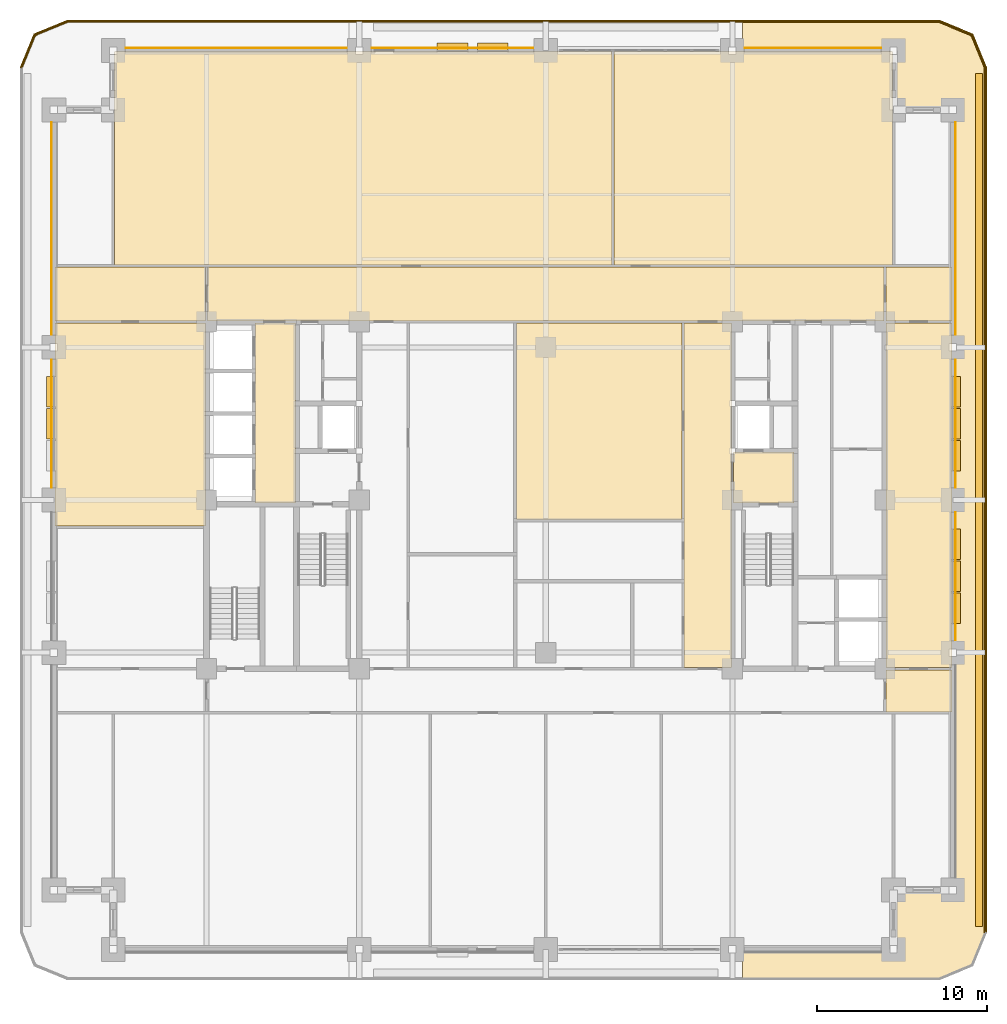
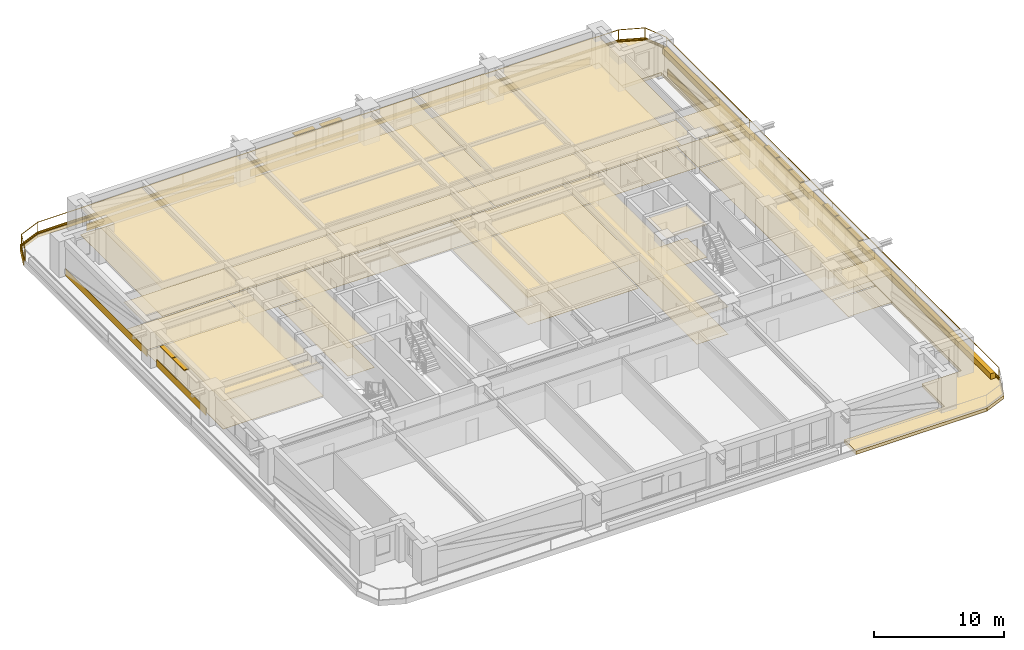
# One storey, part 20 of 20: 40 coverings, 10 shading devices, 2 railings.
"""IFC4 building model written with IfcOpenShell, lengths in metres."""

from ifc_helpers import new_model, si_unit, direction, frame, frame_2d, origin, origin_2d, place, context, subcontext, project, spatial, polyline, rectangle, outline, extrude, material, layer, layer_set, type_object, element, save


model = new_model("IFC4")

# Units and contexts
model_context = context("Model", 3, precision=1e-05, world=origin(), true_north=direction((0.0, 1.0)))
body_context = subcontext(model_context, "Body", "Model", "MODEL_VIEW")
ifc_project = project(units=[si_unit("LENGTHUNIT", "METRE"), si_unit("AREAUNIT", "SQUARE_METRE"), si_unit("VOLUMEUNIT", "CUBIC_METRE"), si_unit("PLANEANGLEUNIT", "RADIAN"), si_unit("MASSUNIT", "GRAM", prefix="KILO")], contexts=[model_context])

# Site, building, storey
site_placement = place(None, origin())
site = spatial("IfcSite", under=ifc_project, at=site_placement, CompositionType="ELEMENT")
building_placement = place(site_placement, origin())
building = spatial("IfcBuilding", under=site, at=building_placement, Name="Zulmaris Gate Convention Tower", CompositionType="ELEMENT")
storey_placement = place(building_placement, frame((0.0, 0.0, 71.469970703125)))
storey = spatial("IfcBuildingStorey", under=building, at=storey_placement, Name="L17", CompositionType="ELEMENT", Elevation=71.469970703125)

# Coverings
ifc_material_1 = material(Name="Precast concrete C40/50", Category="concrete")
ifc_layer_1 = layer(ifc_material_1, 0.0400390625, Name="Precast concrete C40/50")
ifc_layer_set_1 = layer_set([ifc_layer_1], Name="Precast concrete C40/50")
covering_type_1 = type_object("IfcCoveringType", Name="CLAD-SPANDREL-PRECAST", PredefinedType="CLADDING", material=ifc_layer_set_1)
covering_1_placement = place(storey_placement, frame((-11.72998046875, 26.64990234375, 0.0), z_axis=(0.0, 0.0, 1.0), x_axis=(-1.0, 0.0, 0.0)))
element("IfcCovering", 1, at=covering_1_placement, inside=storey, type_object=covering_type_1, Name="CLD-L17-N-0_0", PredefinedType="CLADDING", context=body_context, shape_type="SweptSolid", body=[
    extrude(rectangle(XDim=13.0400390625, YDim=0.0400390625, at=frame_2d((6.52001953125, 0.0))), origin(), (0.0, 0.0, 1.0), 0.679931640625),
])
covering_2_placement = place(storey_placement, frame((-0.72998046875, 26.64990234375, 0.0), z_axis=(0.0, 0.0, 1.0), x_axis=(-1.0, 0.0, 0.0)))
element("IfcCovering", 2, at=covering_2_placement, inside=storey, type_object=covering_type_1, Name="CLD-L17-N-1_0", PredefinedType="CLADDING", context=body_context, shape_type="SweptSolid", body=[
    extrude(rectangle(XDim=9.5400390625, YDim=0.0400390625, at=frame_2d((4.77001953125, 0.0))), origin(), (0.0, 0.0, 1.0), 0.679931640625),
])
covering_3_placement = place(storey_placement, frame((19.77001953125, 26.64990234375, 0.0), z_axis=(0.0, 0.0, 1.0), x_axis=(-1.0, 0.0, 0.0)))
element("IfcCovering", 3, at=covering_3_placement, inside=storey, type_object=covering_type_1, Name="CLD-L17-N-3_0", PredefinedType="CLADDING", context=body_context, shape_type="SweptSolid", body=[
    extrude(rectangle(XDim=8.0400390625, YDim=0.0400390625, at=frame_2d((4.02001953125, 0.0))), origin(), (0.0, 0.0, 1.0), 0.679931640625),
])
for number, where, z_axis, x_axis, name in (
    (4, (24.14990234375, -8.27001953125, 0.0), (0.0, 0.0, 1.0), (0.0, 1.0, 0.0), "CLD-L17-E-1_0"),
    (5, (24.14990234375, 0.72998046875, 0.0), (0.0, 0.0, 1.0), (0.0, 1.0, 0.0), "CLD-L17-E-2_0"),
):
    element("IfcCovering", number, at=place(storey_placement, frame(where, z_axis=z_axis, x_axis=x_axis)), inside=storey, type_object=covering_type_1, Name=name, PredefinedType="CLADDING", context=body_context, shape_type="SweptSolid", body=[
        extrude(rectangle(XDim=7.5400390625, YDim=0.0400390625, at=frame_2d((3.77001953125, 0.0))), origin(), (0.0, 0.0, 1.0), 0.679931640625),
    ])
covering_4_placement = place(storey_placement, frame((24.14990234375, 9.72998046875, 0.0), z_axis=(0.0, 0.0, 1.0), x_axis=(0.0, 1.0, 0.0)))
element("IfcCovering", 6, at=covering_4_placement, inside=storey, type_object=covering_type_1, Name="CLD-L17-E-3_0", PredefinedType="CLADDING", context=body_context, shape_type="SweptSolid", body=[
    extrude(rectangle(XDim=12.5400390625, YDim=0.0400390625, at=frame_2d((6.27001953125, 0.0))), origin(), (0.0, 0.0, 1.0), 0.679931640625),
])
covering_5_placement = place(storey_placement, frame((-29.14990234375, 8.27001953125, 0.0), z_axis=(0.0, 0.0, 1.0), x_axis=(0.0, -1.0, 0.0)))
element("IfcCovering", 7, at=covering_5_placement, inside=storey, type_object=covering_type_1, Name="CLD-L17-W-2_0", PredefinedType="CLADDING", context=body_context, shape_type="SweptSolid", body=[
    extrude(rectangle(XDim=7.5400390625, YDim=0.0400390625, at=frame_2d((3.77001953125, 0.0))), origin(), (0.0, 0.0, 1.0), 0.679931640625),
])
covering_6_placement = place(storey_placement, frame((-29.14990234375, 22.27001953125, 0.0), z_axis=(0.0, 0.0, 1.0), x_axis=(0.0, -1.0, 0.0)))
element("IfcCovering", 8, at=covering_6_placement, inside=storey, type_object=covering_type_1, Name="CLD-L17-W-3_0", PredefinedType="CLADDING", context=body_context, shape_type="SweptSolid", body=[
    extrude(rectangle(XDim=12.5400390625, YDim=0.0400390625, at=frame_2d((6.27001953125, 0.0))), origin(), (0.0, 0.0, 1.0), 0.679931640625),
])
ifc_material_2 = material(Name="White Glazed Architectural Precast Concrete C40/50", Category="concrete")
ifc_layer_2 = layer(ifc_material_2, 0.239990234375, Name="White Glazed Architectural Precast Concrete C40/50")
ifc_layer_set_2 = layer_set([ifc_layer_2], Name="White Glazed Architectural Precast Concrete C40/50")
covering_type_2 = type_object("IfcCoveringType", Name="CLAD-TRAY-DECK", PredefinedType="CLADDING", material=ifc_layer_set_2)
covering_7_placement = place(storey_placement, frame((0.0, 0.0, -0.324951171875)))
element("IfcCovering", 9, at=covering_7_placement, inside=storey, type_object=covering_type_2, Name="L17 East Rounded-Fascia Planter Tray Deck", PredefinedType="CLADDING", context=body_context, shape_type="SweptSolid", body=[
    extrude(outline(polyline([(23.199951171875, 28.300048828125), (25.179931640625, 27.47998046875), (26.0, 25.5), (26.0, -25.5), (25.179931640625, -27.47998046875), (23.199951171875, -28.300048828125), (11.60205078125, -28.300048828125), (11.60205078125, -26.5), (20.5, -26.5), (20.5, -23.0), (24.0, -23.0), (24.0, 23.0), (20.5, 23.0), (20.5, 26.5), (11.60205078125, 26.5), (11.60205078125, 28.300048828125), (23.199951171875, 28.300048828125)])), origin(), (0.0, 0.0, 1.0), 0.300048828125),
])
ifc_layer_3 = layer(ifc_material_2, 0.080078125, Name="White Glazed Architectural Precast Concrete C40/50")
ifc_layer_set_3 = layer_set([ifc_layer_3], Name="White Glazed Architectural Precast Concrete C40/50")
covering_type_3 = type_object("IfcCoveringType", Name="CLAD-TRAY-FASCIA", PredefinedType="CLADDING", material=ifc_layer_set_3)
covering_8_placement = place(storey_placement, frame((25.9599609375, -25.5, -0.364990234375), z_axis=(0.0, 0.0, 1.0), x_axis=(0.0, 1.0, 0.0)))
element("IfcCovering", 10, at=covering_8_placement, inside=storey, type_object=covering_type_3, Name="FSC-L17-TR-05", PredefinedType="CLADDING", context=body_context, shape_type="SweptSolid", body=[
    extrude(rectangle(XDim=51.0, YDim=0.080078125, at=frame_2d((25.5, 0.0))), origin(), (0.0, 0.0, 1.0), 0.5),
])
covering_9_placement = place(storey_placement, frame((25.962890625, 25.484619140625, -0.364990234375), z_axis=(0.0, 0.0, 1.0), x_axis=(-0.382656984709, 0.923890487046, 0.0)))
element("IfcCovering", 11, at=covering_9_placement, inside=storey, type_object=covering_type_3, Name="FSC-L17-TR-06", PredefinedType="CLADDING", context=body_context, shape_type="SweptSolid", body=[
    extrude(rectangle(XDim=2.14306640625, YDim=0.080078125, at=frame_2d((1.071533203125, 0.0))), origin(), (0.0, 0.0, 1.0), 0.5),
])
covering_10_placement = place(storey_placement, frame((25.16455078125, 27.44287109375, -0.364990234375), z_axis=(0.0, 0.0, 1.0), x_axis=(-0.923873803533, 0.382697263049, 0.0)))
element("IfcCovering", 12, at=covering_10_placement, inside=storey, type_object=covering_type_3, Name="FSC-L17-TR-07", PredefinedType="CLADDING", context=body_context, shape_type="SweptSolid", body=[
    extrude(rectangle(XDim=2.142822265625, YDim=0.080078125, at=frame_2d((1.0712890625, 0.0))), origin(), (0.0, 0.0, 1.0), 0.5),
])
covering_11_placement = place(storey_placement, frame((23.199951171875, 28.260009765625, -0.364990234375), z_axis=(0.0, 0.0, 1.0), x_axis=(-1.0, 0.0, 0.0)))
element("IfcCovering", 13, at=covering_11_placement, inside=storey, type_object=covering_type_3, Name="FSC-L17-TR-08", PredefinedType="CLADDING", context=body_context, shape_type="SweptSolid", body=[
    extrude(rectangle(XDim=51.39990234375, YDim=0.080078125, at=frame_2d((25.699951171875, 0.0))), origin(), (0.0, 0.0, 1.0), 0.5),
])
covering_12_placement = place(storey_placement, frame((-28.184814453125, 28.262939453125, -0.364990234375), z_axis=(0.0, 0.0, 1.0), x_axis=(-0.923873803533, -0.382697263049, 0.0)))
element("IfcCovering", 14, at=covering_12_placement, inside=storey, type_object=covering_type_3, Name="FSC-L17-TR-09", PredefinedType="CLADDING", context=body_context, shape_type="SweptSolid", body=[
    extrude(rectangle(XDim=2.142822265625, YDim=0.080078125, at=frame_2d((1.0712890625, 0.0))), origin(), (0.0, 0.0, 1.0), 0.5),
])
covering_13_placement = place(storey_placement, frame((-30.142822265625, 27.464599609375, -0.364990234375), z_axis=(0.0, 0.0, 1.0), x_axis=(-0.382656984709, -0.923890487046, 0.0)))
element("IfcCovering", 15, at=covering_13_placement, inside=storey, type_object=covering_type_3, Name="FSC-L17-TR-10", PredefinedType="CLADDING", context=body_context, shape_type="SweptSolid", body=[
    extrude(rectangle(XDim=2.14306640625, YDim=0.080078125, at=frame_2d((1.071533203125, 0.0))), origin(), (0.0, 0.0, 1.0), 0.5),
])
ifc_material_3 = material(Name="Mineral Fibre Acoustic Ceiling Tile")
ifc_layer_4 = layer(ifc_material_3, 0.02001953125, Name="Mineral Fibre Acoustic Ceiling Tile")
ifc_layer_set_4 = layer_set([ifc_layer_4], Name="Mineral Fibre Acoustic Ceiling Tile")
covering_type_4 = type_object("IfcCoveringType", Name="CLG-ACOUSTIC-600", PredefinedType="CEILING", material=ifc_layer_set_4)
covering_14_placement = place(storey_placement, frame((0.0, 0.0, 3.0400390625)))
element("IfcCovering", 16, at=covering_14_placement, inside=storey, type_object=covering_type_4, Name="CLG-L17-R08", PredefinedType="CEILING", context=body_context, shape_type="SweptSolid", body=[
    extrude(outline(polyline([(11.06005859375, -0.18994140625), (14.639892578125, -0.18994140625), (14.639892578125, 2.840087890625), (11.06005859375, 2.840087890625), (11.06005859375, -0.18994140625)])), origin(), (0.0, 0.0, 1.0), 0.02001953125),
])
covering_15_placement = place(storey_placement, frame((0.0, 0.0, 2.6279296875)))
element("IfcCovering", 17, at=covering_15_placement, inside=storey, type_object=covering_type_4, Name="CLG-L17-R19", PredefinedType="CEILING", context=body_context, shape_type="SweptSolid", body=[
    extrude(outline(polyline([(-17.139892578125, -0.18994140625), (-14.760009765625, -0.18994140625), (-14.760009765625, 10.43994140625), (-17.139892578125, 10.43994140625), (-17.139892578125, -0.18994140625)])), origin(), (0.0, 0.0, 1.0), 0.02001953125),
])
covering_16_placement = place(storey_placement, frame((0.0, 0.0, 2.552978515625)))
element("IfcCovering", 18, at=covering_16_placement, inside=storey, type_object=covering_type_4, Name="CLG-L17-R33", PredefinedType="CEILING", context=body_context, shape_type="SweptSolid", body=[
    extrude(outline(polyline([(-19.93994140625, 10.56005859375), (19.93994140625, 10.56005859375), (19.93994140625, 13.739990234375), (-19.93994140625, 13.739990234375), (-19.93994140625, 10.56005859375)])), origin(), (0.0, 0.0, 1.0), 0.02001953125),
])
covering_17_placement = place(storey_placement, frame((0.0, 0.0, 2.552978515625)))
element("IfcCovering", 19, at=covering_17_placement, inside=storey, type_object=covering_type_4, Name="CLG-L17-R36", PredefinedType="CEILING", context=body_context, shape_type="SweptSolid", body=[
    extrude(outline(polyline([(8.159912109375, -9.889892578125), (10.93994140625, -9.889892578125), (10.93994140625, 10.43994140625), (8.159912109375, 10.43994140625), (8.159912109375, -9.889892578125)])), origin(), (0.0, 0.0, 1.0), 0.02001953125),
])
covering_18_placement = place(storey_placement, frame((0.0, 0.0, 2.552978515625)))
element("IfcCovering", 20, at=covering_18_placement, inside=storey, type_object=covering_type_4, Name="CLG-L17-R37", PredefinedType="CEILING", context=body_context, shape_type="SweptSolid", body=[
    extrude(outline(polyline([(-25.43994140625, 13.860107421875), (3.889892578125, 13.860107421875), (3.889892578125, 26.43994140625), (-25.43994140625, 26.43994140625), (-25.43994140625, 13.860107421875)])), origin(), (0.0, 0.0, 1.0), 0.02001953125),
])
covering_19_placement = place(storey_placement, frame((0.0, 0.0, 2.552978515625)))
element("IfcCovering", 21, at=covering_19_placement, inside=storey, type_object=covering_type_4, Name="CLG-L17-R38", PredefinedType="CEILING", context=body_context, shape_type="SweptSolid", body=[
    extrude(outline(polyline([(4.010009765625, 13.860107421875), (20.43994140625, 13.860107421875), (20.43994140625, 26.43994140625), (4.010009765625, 26.43994140625), (4.010009765625, 13.860107421875)])), origin(), (0.0, 0.0, 1.0), 0.02001953125),
])
covering_20_placement = place(storey_placement, frame((0.0, 0.0, 2.552978515625)))
element("IfcCovering", 22, at=covering_20_placement, inside=storey, type_object=covering_type_4, Name="CLG-L17-R45", PredefinedType="CEILING", context=body_context, shape_type="SweptSolid", body=[
    extrude(outline(polyline([(-1.739990234375, -1.139892578125), (8.0400390625, -1.139892578125), (8.0400390625, 10.43994140625), (-1.739990234375, 10.43994140625), (-1.739990234375, -1.139892578125)])), origin(), (0.0, 0.0, 1.0), 0.02001953125),
])
covering_21_placement = place(storey_placement, frame((0.0, 0.0, 2.6279296875)))
element("IfcCovering", 23, at=covering_21_placement, inside=storey, type_object=covering_type_4, Name="CLG-L17-R49", PredefinedType="CEILING", context=body_context, shape_type="SweptSolid", body=[
    extrude(outline(polyline([(-28.93994140625, 10.56005859375), (-20.06005859375, 10.56005859375), (-20.06005859375, 13.739990234375), (-28.93994140625, 13.739990234375), (-28.93994140625, 10.56005859375)])), origin(), (0.0, 0.0, 1.0), 0.02001953125),
])
covering_22_placement = place(storey_placement, frame((0.0, 0.0, 2.6279296875)))
element("IfcCovering", 24, at=covering_22_placement, inside=storey, type_object=covering_type_4, Name="CLG-L17-R51", PredefinedType="CEILING", context=body_context, shape_type="SweptSolid", body=[
    extrude(outline(polyline([(-28.93994140625, -1.5400390625), (-20.06005859375, -1.5400390625), (-20.06005859375, 10.43994140625), (-28.93994140625, 10.43994140625), (-28.93994140625, -1.5400390625)])), origin(), (0.0, 0.0, 1.0), 0.02001953125),
])
covering_23_placement = place(storey_placement, frame((0.0, 0.0, 2.6279296875)))
element("IfcCovering", 25, at=covering_23_placement, inside=storey, type_object=covering_type_4, Name="CLG-L17-R53", PredefinedType="CEILING", context=body_context, shape_type="SweptSolid", body=[
    extrude(outline(polyline([(20.06005859375, 10.56005859375), (23.93994140625, 10.56005859375), (23.93994140625, 13.739990234375), (20.06005859375, 13.739990234375), (20.06005859375, 10.56005859375)])), origin(), (0.0, 0.0, 1.0), 0.02001953125),
])
covering_24_placement = place(storey_placement, frame((0.0, 0.0, 2.6279296875)))
element("IfcCovering", 26, at=covering_24_placement, inside=storey, type_object=covering_type_4, Name="CLG-L17-R54", PredefinedType="CEILING", context=body_context, shape_type="SweptSolid", body=[
    extrude(outline(polyline([(20.06005859375, -12.489990234375), (23.93994140625, -12.489990234375), (23.93994140625, -10.010009765625), (20.06005859375, -10.010009765625), (20.06005859375, -12.489990234375)])), origin(), (0.0, 0.0, 1.0), 0.02001953125),
])
covering_25_placement = place(storey_placement, frame((0.0, 0.0, 2.6279296875)))
element("IfcCovering", 27, at=covering_25_placement, inside=storey, type_object=covering_type_4, Name="CLG-L17-R55", PredefinedType="CEILING", context=body_context, shape_type="SweptSolid", body=[
    extrude(outline(polyline([(20.06005859375, -9.889892578125), (23.93994140625, -9.889892578125), (23.93994140625, 10.43994140625), (20.06005859375, 10.43994140625), (20.06005859375, -9.889892578125)])), origin(), (0.0, 0.0, 1.0), 0.02001953125),
])
ifc_material_4 = material(Name="Woven Acoustic Wool Carpet Tile")
ifc_layer_5 = layer(ifc_material_4, 0.02001953125, Name="Woven Acoustic Wool Carpet Tile")
ifc_layer_set_5 = layer_set([ifc_layer_5], Name="Woven Acoustic Wool Carpet Tile")
covering_type_5 = type_object("IfcCoveringType", Name="FLR-CARPET-12", PredefinedType="FLOORING", material=ifc_layer_set_5)
covering_26_placement = place(storey_placement, origin())
element("IfcCovering", 28, at=covering_26_placement, inside=storey, type_object=covering_type_5, Name="FLR-L17-R08", PredefinedType="FLOORING", context=body_context, shape_type="SweptSolid", body=[
    extrude(outline(polyline([(11.06005859375, -0.18994140625), (14.639892578125, -0.18994140625), (14.639892578125, 2.840087890625), (11.06005859375, 2.840087890625), (11.06005859375, -0.18994140625)])), origin(), (0.0, 0.0, 1.0), 0.02001953125),
])
covering_27_placement = place(storey_placement, origin())
element("IfcCovering", 29, at=covering_27_placement, inside=storey, type_object=covering_type_5, Name="FLR-L17-R19", PredefinedType="FLOORING", context=body_context, shape_type="SweptSolid", body=[
    extrude(outline(polyline([(-17.139892578125, -0.18994140625), (-14.760009765625, -0.18994140625), (-14.760009765625, 10.43994140625), (-17.139892578125, 10.43994140625), (-17.139892578125, -0.18994140625)])), origin(), (0.0, 0.0, 1.0), 0.02001953125),
])
covering_28_placement = place(storey_placement, origin())
element("IfcCovering", 30, at=covering_28_placement, inside=storey, type_object=covering_type_5, Name="FLR-L17-R33", PredefinedType="FLOORING", context=body_context, shape_type="SweptSolid", body=[
    extrude(outline(polyline([(-19.93994140625, 10.56005859375), (19.93994140625, 10.56005859375), (19.93994140625, 13.739990234375), (-19.93994140625, 13.739990234375), (-19.93994140625, 10.56005859375)])), origin(), (0.0, 0.0, 1.0), 0.02001953125),
])
covering_29_placement = place(storey_placement, origin())
element("IfcCovering", 31, at=covering_29_placement, inside=storey, type_object=covering_type_5, Name="FLR-L17-R36", PredefinedType="FLOORING", context=body_context, shape_type="SweptSolid", body=[
    extrude(outline(polyline([(8.159912109375, -9.889892578125), (10.93994140625, -9.889892578125), (10.93994140625, 10.43994140625), (8.159912109375, 10.43994140625), (8.159912109375, -9.889892578125)])), origin(), (0.0, 0.0, 1.0), 0.02001953125),
])
covering_30_placement = place(storey_placement, origin())
element("IfcCovering", 32, at=covering_30_placement, inside=storey, type_object=covering_type_5, Name="FLR-L17-R37", PredefinedType="FLOORING", context=body_context, shape_type="SweptSolid", body=[
    extrude(outline(polyline([(-25.43994140625, 13.860107421875), (3.889892578125, 13.860107421875), (3.889892578125, 26.43994140625), (-25.43994140625, 26.43994140625), (-25.43994140625, 13.860107421875)])), origin(), (0.0, 0.0, 1.0), 0.02001953125),
])
covering_31_placement = place(storey_placement, origin())
element("IfcCovering", 33, at=covering_31_placement, inside=storey, type_object=covering_type_5, Name="FLR-L17-R38", PredefinedType="FLOORING", context=body_context, shape_type="SweptSolid", body=[
    extrude(outline(polyline([(4.010009765625, 13.860107421875), (20.43994140625, 13.860107421875), (20.43994140625, 26.43994140625), (4.010009765625, 26.43994140625), (4.010009765625, 13.860107421875)])), origin(), (0.0, 0.0, 1.0), 0.02001953125),
])
covering_32_placement = place(storey_placement, origin())
element("IfcCovering", 34, at=covering_32_placement, inside=storey, type_object=covering_type_5, Name="FLR-L17-R45", PredefinedType="FLOORING", context=body_context, shape_type="SweptSolid", body=[
    extrude(outline(polyline([(-1.739990234375, -1.139892578125), (8.0400390625, -1.139892578125), (8.0400390625, 10.43994140625), (-1.739990234375, 10.43994140625), (-1.739990234375, -1.139892578125)])), origin(), (0.0, 0.0, 1.0), 0.02001953125),
])
covering_33_placement = place(storey_placement, origin())
element("IfcCovering", 35, at=covering_33_placement, inside=storey, type_object=covering_type_5, Name="FLR-L17-R49", PredefinedType="FLOORING", context=body_context, shape_type="SweptSolid", body=[
    extrude(outline(polyline([(-28.93994140625, 10.56005859375), (-20.06005859375, 10.56005859375), (-20.06005859375, 13.739990234375), (-28.93994140625, 13.739990234375), (-28.93994140625, 10.56005859375)])), origin(), (0.0, 0.0, 1.0), 0.02001953125),
])
covering_34_placement = place(storey_placement, origin())
element("IfcCovering", 36, at=covering_34_placement, inside=storey, type_object=covering_type_5, Name="FLR-L17-R51", PredefinedType="FLOORING", context=body_context, shape_type="SweptSolid", body=[
    extrude(outline(polyline([(-28.93994140625, -1.5400390625), (-20.06005859375, -1.5400390625), (-20.06005859375, 10.43994140625), (-28.93994140625, 10.43994140625), (-28.93994140625, -1.5400390625)])), origin(), (0.0, 0.0, 1.0), 0.02001953125),
])
covering_35_placement = place(storey_placement, origin())
element("IfcCovering", 37, at=covering_35_placement, inside=storey, type_object=covering_type_5, Name="FLR-L17-R53", PredefinedType="FLOORING", context=body_context, shape_type="SweptSolid", body=[
    extrude(outline(polyline([(20.06005859375, 10.56005859375), (23.93994140625, 10.56005859375), (23.93994140625, 13.739990234375), (20.06005859375, 13.739990234375), (20.06005859375, 10.56005859375)])), origin(), (0.0, 0.0, 1.0), 0.02001953125),
])
covering_36_placement = place(storey_placement, origin())
element("IfcCovering", 38, at=covering_36_placement, inside=storey, type_object=covering_type_5, Name="FLR-L17-R54", PredefinedType="FLOORING", context=body_context, shape_type="SweptSolid", body=[
    extrude(outline(polyline([(20.06005859375, -12.489990234375), (23.93994140625, -12.489990234375), (23.93994140625, -10.010009765625), (20.06005859375, -10.010009765625), (20.06005859375, -12.489990234375)])), origin(), (0.0, 0.0, 1.0), 0.02001953125),
])
covering_37_placement = place(storey_placement, origin())
element("IfcCovering", 39, at=covering_37_placement, inside=storey, type_object=covering_type_5, Name="FLR-L17-R55", PredefinedType="FLOORING", context=body_context, shape_type="SweptSolid", body=[
    extrude(outline(polyline([(20.06005859375, -9.889892578125), (23.93994140625, -9.889892578125), (23.93994140625, 10.43994140625), (20.06005859375, 10.43994140625), (20.06005859375, -9.889892578125)])), origin(), (0.0, 0.0, 1.0), 0.02001953125),
])
ifc_material_5 = material(Name="Botanical Green Glazed Precast Concrete C40/50", Category="concrete")
ifc_layer_6 = layer(ifc_material_5, 0.419921875, Name="Botanical Green Glazed Precast Concrete C40/50")
ifc_layer_set_6 = layer_set([ifc_layer_6], Name="Botanical Green Glazed Precast Concrete C40/50")
covering_type_6 = type_object("IfcCoveringType", Name="PLANTER-BOX-200", PredefinedType="CLADDING", material=ifc_layer_set_6)
covering_38_placement = place(storey_placement, frame((0.0, 0.0, -0.02490234375)))
element("IfcCovering", 40, at=covering_38_placement, inside=storey, type_object=covering_type_6, Name="L17 E Full-Length Balcony Tree Planter Trough", PredefinedType="CLADDING", context=body_context, shape_type="SweptSolid", body=[
    extrude(outline(polyline([(25.340087890625, -25.14990234375), (25.760009765625, -25.14990234375), (25.760009765625, 25.14990234375), (25.340087890625, 25.14990234375), (25.340087890625, -25.14990234375)])), origin(), (0.0, 0.0, 1.0), 0.52001953125),
])

# Railings
ifc_material_6 = material(Name="Laminated Glass and Stainless Steel", Category="steel")
railing_type = type_object("IfcRailingType", Name="RL-BALC-1150", PredefinedType="BALUSTRADE", material=ifc_material_6)
railing_1_placement = place(storey_placement, frame((25.8798828125, -25.5, -0.02490234375)))
element("IfcRailing", 41, at=railing_1_placement, inside=storey, type_object=railing_type, Name="RL-L17-BALC-E", PredefinedType="BALUSTRADE", context=body_context, shape_type="SweptSolid", body=[
    extrude(rectangle(XDim=0.048095703125, YDim=0.048095703125, at=origin_2d()), frame((0.0, 0.0, 1.1259765625), z_axis=(0.0, 1.0, 0.0), x_axis=(-1.0, 0.0, 0.0)), (0.0, 0.0, 1.0), 51.0),
    extrude(rectangle(XDim=0.048095703125, YDim=0.048095703125, at=origin_2d()), frame((0.0, 0.0, 0.02392578125), z_axis=(0.0, 1.0, 0.0), x_axis=(-1.0, 0.0, 0.0)), (0.0, 0.0, 1.0), 51.0),
    extrude(rectangle(XDim=0.0419921875, YDim=0.0419921875, at=origin_2d()), origin(), (0.0, 0.0, 1.0), 1.101806640625),
    extrude(rectangle(XDim=0.0419921875, YDim=0.0419921875, at=origin_2d()), frame((0.0, 12.75, 0.0)), (0.0, 0.0, 1.0), 1.101806640625),
    extrude(rectangle(XDim=0.0419921875, YDim=0.0419921875, at=origin_2d()), frame((0.0, 25.5, 0.0)), (0.0, 0.0, 1.0), 1.101806640625),
    extrude(rectangle(XDim=0.0419921875, YDim=0.0419921875, at=origin_2d()), frame((0.0, 38.25, 0.0)), (0.0, 0.0, 1.0), 1.101806640625),
    extrude(rectangle(XDim=0.0419921875, YDim=0.0419921875, at=origin_2d()), frame((0.0, 51.0, 0.0)), (0.0, 0.0, 1.0), 1.101806640625),
])
railing_2_placement = place(storey_placement, frame((25.8798828125, 25.5, -0.02490234375)))
element("IfcRailing", 42, at=railing_2_placement, inside=storey, type_object=railing_type, Name="RL-L17-BALC-N", PredefinedType="BALUSTRADE", context=body_context, shape_type="SweptSolid", body=[
    extrude(rectangle(XDim=0.048095703125, YDim=0.048095703125, at=origin_2d()), frame((0.0, 0.0, 1.1259765625), z_axis=(-0.382670664694, 0.92388482095, 0.0), x_axis=(-0.92388482095, -0.382670664694, 0.0)), (0.0, 0.0, 1.0), 2.051025390625),
    extrude(rectangle(XDim=0.048095703125, YDim=0.048095703125, at=origin_2d()), frame((0.0, 0.0, 0.02392578125), z_axis=(-0.382670664694, 0.92388482095, 0.0), x_axis=(-0.92388482095, -0.382670664694, 0.0)), (0.0, 0.0, 1.0), 2.051025390625),
    extrude(rectangle(XDim=0.048095703125, YDim=0.048095703125, at=origin_2d()), frame((-0.784912109375, 1.89501953125, 1.1259765625), z_axis=(-0.92388482095, 0.382670664694, 0.0), x_axis=(-0.382670664694, -0.92388482095, 0.0)), (0.0, 0.0, 1.0), 2.051025390625),
    extrude(rectangle(XDim=0.048095703125, YDim=0.048095703125, at=origin_2d()), frame((-0.784912109375, 1.89501953125, 0.02392578125), z_axis=(-0.92388482095, 0.382670664694, 0.0), x_axis=(-0.382670664694, -0.92388482095, 0.0)), (0.0, 0.0, 1.0), 2.051025390625),
    extrude(rectangle(XDim=0.048095703125, YDim=0.048095703125, at=origin_2d()), frame((-2.679931640625, 2.679931640625, 1.1259765625), z_axis=(-1.0, 0.0, 0.0), x_axis=(0.0, -1.0, 0.0)), (0.0, 0.0, 1.0), 51.39990234375),
    extrude(rectangle(XDim=0.048095703125, YDim=0.048095703125, at=origin_2d()), frame((-2.679931640625, 2.679931640625, 0.02392578125), z_axis=(-1.0, 0.0, 0.0), x_axis=(0.0, -1.0, 0.0)), (0.0, 0.0, 1.0), 51.39990234375),
    extrude(rectangle(XDim=0.048095703125, YDim=0.048095703125, at=origin_2d()), frame((-54.079833984375, 2.679931640625, 1.1259765625), z_axis=(-0.92388482095, -0.382670664694, 0.0), x_axis=(0.382670664694, -0.92388482095, 0.0)), (0.0, 0.0, 1.0), 2.051025390625),
    extrude(rectangle(XDim=0.048095703125, YDim=0.048095703125, at=origin_2d()), frame((-54.079833984375, 2.679931640625, 0.02392578125), z_axis=(-0.92388482095, -0.382670664694, 0.0), x_axis=(0.382670664694, -0.92388482095, 0.0)), (0.0, 0.0, 1.0), 2.051025390625),
    extrude(rectangle(XDim=0.048095703125, YDim=0.048095703125, at=origin_2d()), frame((-55.974853515625, 1.89501953125, 1.1259765625), z_axis=(-0.382670664694, -0.92388482095, 0.0), x_axis=(0.92388482095, -0.382670664694, 0.0)), (0.0, 0.0, 1.0), 2.051025390625),
    extrude(rectangle(XDim=0.048095703125, YDim=0.048095703125, at=origin_2d()), frame((-55.974853515625, 1.89501953125, 0.02392578125), z_axis=(-0.382670664694, -0.92388482095, 0.0), x_axis=(0.92388482095, -0.382670664694, 0.0)), (0.0, 0.0, 1.0), 2.051025390625),
    extrude(rectangle(XDim=0.0419921875, YDim=0.0419921875, at=origin_2d()), origin(), (0.0, 0.0, 1.0), 1.101806640625),
    extrude(rectangle(XDim=0.0419921875, YDim=0.0419921875, at=origin_2d()), frame((-0.784912109375, 1.89501953125, 0.0)), (0.0, 0.0, 1.0), 1.101806640625),
    extrude(rectangle(XDim=0.0419921875, YDim=0.0419921875, at=origin_2d()), frame((-2.679931640625, 2.679931640625, 0.0)), (0.0, 0.0, 1.0), 1.101806640625),
    extrude(rectangle(XDim=0.0419921875, YDim=0.0419921875, at=origin_2d()), frame((-15.52978515625, 2.679931640625, 0.0)), (0.0, 0.0, 1.0), 1.101806640625),
    extrude(rectangle(XDim=0.0419921875, YDim=0.0419921875, at=origin_2d()), frame((-28.3798828125, 2.679931640625, 0.0)), (0.0, 0.0, 1.0), 1.101806640625),
    extrude(rectangle(XDim=0.0419921875, YDim=0.0419921875, at=origin_2d()), frame((-41.22998046875, 2.679931640625, 0.0)), (0.0, 0.0, 1.0), 1.101806640625),
    extrude(rectangle(XDim=0.0419921875, YDim=0.0419921875, at=origin_2d()), frame((-54.079833984375, 2.679931640625, 0.0)), (0.0, 0.0, 1.0), 1.101806640625),
    extrude(rectangle(XDim=0.0419921875, YDim=0.0419921875, at=origin_2d()), frame((-55.974853515625, 1.89501953125, 0.0)), (0.0, 0.0, 1.0), 1.101806640625),
    extrude(rectangle(XDim=0.0419921875, YDim=0.0419921875, at=origin_2d()), frame((-56.759765625, 0.0, 0.0)), (0.0, 0.0, 1.0), 1.101806640625),
])

# Shading devices
ifc_material_7 = material(Name="Glazed Ceramic Terracotta", Category="masonry")
ifc_layer_7 = layer(ifc_material_7, 0.070068359375, Name="Glazed Ceramic Terracotta")
ifc_layer_set_7 = layer_set([ifc_layer_7], Name="Glazed Ceramic Terracotta")
shading_device_type = type_object("IfcShadingDeviceType", Name="SHD-SUNSHADE-TC", PredefinedType="AWNING", material=ifc_layer_set_7)
for number, where, z_axis, x_axis, name in (
    (43, (-2.215087890625, 26.719970703125, 2.530029296875), (0.0, 0.0, 1.0), (-1.0, 0.0, 0.0), "SHD-EW-L17-N-1_0-1"),
    (44, (-4.60009765625, 26.719970703125, 2.530029296875), (0.0, 0.0, 1.0), (-1.0, 0.0, 0.0), "SHD-EW-L17-N-1_0-2"),
    (45, (24.219970703125, -7.284912109375, 2.530029296875), (0.0, 0.0, 1.0), (0.0, 1.0, 0.0), "SHD-EW-L17-E-1_0-1"),
    (46, (24.219970703125, -5.39990234375, 2.530029296875), (0.0, 0.0, 1.0), (0.0, 1.0, 0.0), "SHD-EW-L17-E-1_0-2"),
    (47, (24.219970703125, -3.514892578125, 2.530029296875), (0.0, 0.0, 1.0), (0.0, 1.0, 0.0), "SHD-EW-L17-E-1_0-3"),
    (48, (24.219970703125, 1.715087890625, 2.530029296875), (0.0, 0.0, 1.0), (0.0, 1.0, 0.0), "SHD-EW-L17-E-2_0-1"),
    (49, (24.219970703125, 3.60009765625, 2.530029296875), (0.0, 0.0, 1.0), (0.0, 1.0, 0.0), "SHD-EW-L17-E-2_0-2"),
    (50, (24.219970703125, 5.485107421875, 2.530029296875), (0.0, 0.0, 1.0), (0.0, 1.0, 0.0), "SHD-EW-L17-E-2_0-3"),
    (51, (-29.219970703125, 7.284912109375, 2.530029296875), (0.0, 0.0, 1.0), (0.0, -1.0, 0.0), "SHD-EW-L17-W-2_0-1"),
    (52, (-29.219970703125, 5.39990234375, 2.530029296875), (0.0, 0.0, 1.0), (0.0, -1.0, 0.0), "SHD-EW-L17-W-2_0-2"),
):
    element("IfcShadingDevice", number, at=place(storey_placement, frame(where, z_axis=z_axis, x_axis=x_axis)), inside=storey, type_object=shading_device_type, Name=name, PredefinedType="AWNING", context=body_context, shape_type="SweptSolid", body=[
        extrude(rectangle(XDim=1.7998046875, YDim=0.43994140625, at=frame_2d((0.89990234375, 0.0))), origin(), (0.0, 0.0, 1.0), 0.070068359375),
    ])

save(model, "model.ifc")
